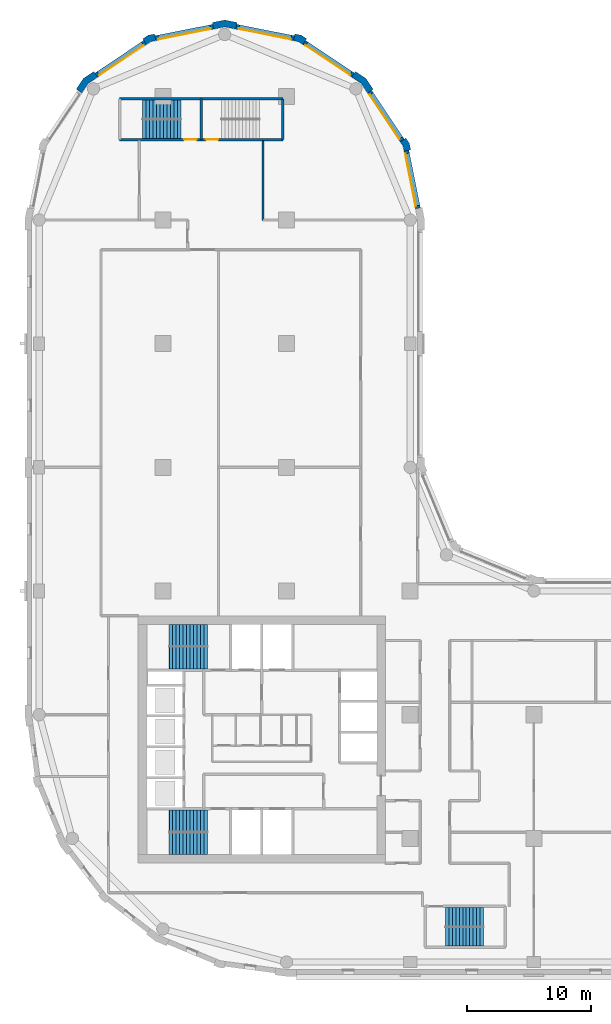
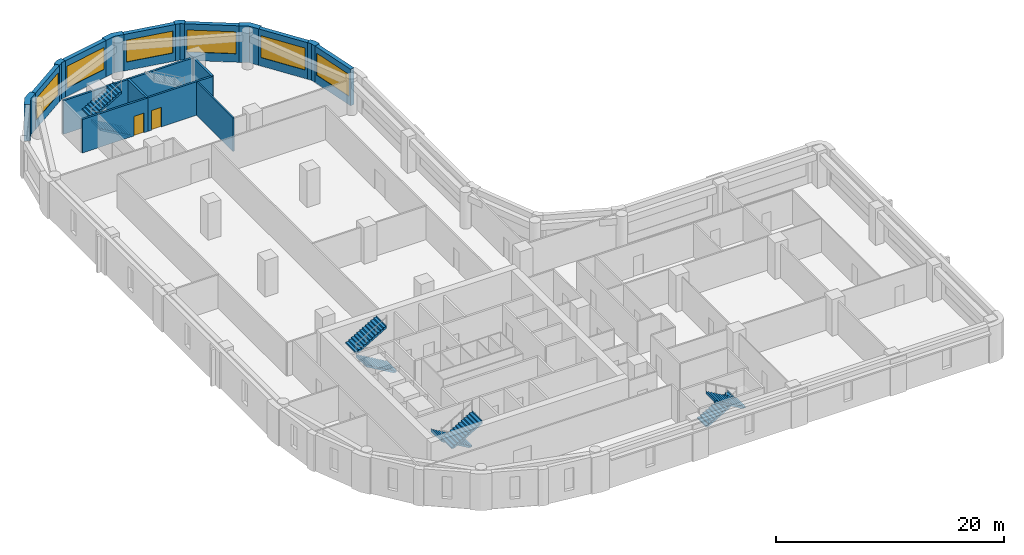
# One storey, part 7 of 10: 19 walls, 8 stair flights, 6 windows, 2 doors, 8 openings, 4 elements without a shape of their own.
"""IFC4 building model written with IfcOpenShell, lengths in metres."""

from ifc_helpers import new_model, si_unit, direction, frame, frame_2d, origin, place, context, subcontext, project, spatial, polyline, rectangle, outline, extrude, material, layer, layer_set, type_object, element, fill, aggregate, save


model = new_model("IFC4")

# Units and contexts
model_context = context("Model", 3, precision=1e-05, world=origin(), true_north=direction((0.0, 1.0)))
body_context = subcontext(model_context, "Body", "Model", "MODEL_VIEW")
ifc_project = project(units=[si_unit("LENGTHUNIT", "METRE"), si_unit("AREAUNIT", "SQUARE_METRE"), si_unit("VOLUMEUNIT", "CUBIC_METRE"), si_unit("PLANEANGLEUNIT", "RADIAN"), si_unit("MASSUNIT", "GRAM", prefix="KILO")], contexts=[model_context])

# Site, building, storey
site_placement = place(None, origin())
site = spatial("IfcSite", under=ifc_project, at=site_placement, CompositionType="ELEMENT")
building_placement = place(site_placement, origin())
building = spatial("IfcBuilding", under=site, at=building_placement, Name="Qaws Garden Tower", CompositionType="ELEMENT")
storey_placement = place(building_placement, frame((0.0, 0.0, 182.39990234375)))
storey = spatial("IfcBuildingStorey", under=building, at=storey_placement, Name="L44", CompositionType="ELEMENT", Elevation=182.39990234375)

# Wall, opening, window
ifc_material_1 = material(Name="Clay facing brick masonry", Category="masonry")
ifc_layer_1 = layer(ifc_material_1, 0.39990234375)
ifc_layer_set_1 = layer_set([ifc_layer_1], Name="Clay facing brick masonry")
wall_type_1 = type_object("IfcWallType", Name="Brick infill wall 400", PredefinedType="SOLIDWALL", material=ifc_layer_set_1)
wall_1_placement = place(storey_placement, frame((30.628662109375, 60.940673828125, 0.0), z_axis=(0.0, 0.0, 1.0), x_axis=(-0.195098533057, 0.98078364709, 0.0)))
wall_1 = element("IfcWall", 1, at=wall_1_placement, inside=storey, type_object=wall_type_1, Name="E-L44-infill-13", PredefinedType="SOLIDWALL", context=body_context, shape_type="SweptSolid", body=[
    extrude(rectangle(XDim=4.752685546875, YDim=0.39990234375, at=frame_2d((2.37646484375, 0.0))), origin(), (0.0, 0.0, 1.0), 3.900146484375),
])
opening_1_placement = place(wall_1_placement, frame((0.226318359375, 0.0, 0.89990234375)))
opening_1 = element("IfcOpeningElement", 2, at=opening_1_placement, cuts=wall_1, Name="Opening W06", PredefinedType="OPENING", context=body_context, shape_type="SweptSolid", body=[
    extrude(rectangle(XDim=4.300048828125, YDim=2.35009765625, at=frame_2d((2.14990234375, 1.175048828125))), frame((0.0, 0.2099609375, 0.0), z_axis=(0.0, -1.0, 0.0), x_axis=(1.0, 0.0, 0.0)), (0.0, 0.0, 1.0), 0.419921875),
])
ifc_material_2 = material(Name="Aluminium framed window, clear glazing", Category="aluminium")
window_type = type_object("IfcWindowType", Name="Ribbon window 4300 x 2350", PartitioningType="DOUBLE_PANEL_VERTICAL", PredefinedType="WINDOW", material=ifc_material_2)
window_1_placement = place(opening_1_placement, origin())
window_1 = element("IfcWindow", 3, at=window_1_placement, inside=storey, type_object=window_type, Name="E-L44-window-13-0", OverallHeight=2.35009765625, OverallWidth=4.300048828125, PartitioningType="SINGLE_PANEL", PredefinedType="WINDOW", context=body_context, shape_type="SweptSolid", body=[
    extrude(rectangle(XDim=4.300048828125, YDim=2.35009765625, at=frame_2d((2.14990234375, 1.175048828125))), frame((0.0, 0.159912109375, 0.0), z_axis=(0.0, -1.0, 0.0), x_axis=(1.0, 0.0, 0.0)), (0.0, 0.0, 1.0), 0.06005859375),
])
fill(opening_1, window_1)

wall_2_placement = place(storey_placement, frame((29.356689453125, 66.43408203125, 0.0), z_axis=(0.0, 0.0, 1.0), x_axis=(-0.555541552266, 0.831488775454, 0.0)))
wall_2 = element("IfcWall", 4, at=wall_2_placement, inside=storey, type_object=wall_type_1, Name="E-L44-infill-14", PredefinedType="SOLIDWALL", context=body_context, shape_type="SweptSolid", body=[
    extrude(rectangle(XDim=4.752685546875, YDim=0.39990234375, at=frame_2d((2.37646484375, 0.0))), origin(), (0.0, 0.0, 1.0), 3.900146484375),
])
opening_2_placement = place(wall_2_placement, frame((0.226318359375, 0.0, 0.89990234375)))
opening_2 = element("IfcOpeningElement", 5, at=opening_2_placement, cuts=wall_2, Name="Opening W06", PredefinedType="OPENING", context=body_context, shape_type="SweptSolid", body=[
    extrude(rectangle(XDim=4.300048828125, YDim=2.35009765625, at=frame_2d((2.14990234375, 1.175048828125))), frame((0.0, 0.2099609375, 0.0), z_axis=(0.0, -1.0, 0.0), x_axis=(1.0, 0.0, 0.0)), (0.0, 0.0, 1.0), 0.419921875),
])
window_2_placement = place(opening_2_placement, origin())
window_2 = element("IfcWindow", 6, at=window_2_placement, inside=storey, type_object=window_type, Name="E-L44-window-14-0", OverallHeight=2.35009765625, OverallWidth=4.300048828125, PartitioningType="SINGLE_PANEL", PredefinedType="WINDOW", context=body_context, shape_type="SweptSolid", body=[
    extrude(rectangle(XDim=4.300048828125, YDim=2.35009765625, at=frame_2d((2.14990234375, 1.175048828125))), frame((0.0, 0.159912109375, 0.0), z_axis=(0.0, -1.0, 0.0), x_axis=(1.0, 0.0, 0.0)), (0.0, 0.0, 1.0), 0.06005859375),
])
fill(opening_2, window_2)

wall_3_placement = place(storey_placement, frame((25.385986328125, 71.71630859375, 0.0), z_axis=(0.0, 0.0, 1.0), x_axis=(-0.831488775454, 0.555541552266, 0.0)))
wall_3 = element("IfcWall", 7, at=wall_3_placement, inside=storey, type_object=wall_type_1, Name="E-L44-infill-15", PredefinedType="SOLIDWALL", context=body_context, shape_type="SweptSolid", body=[
    extrude(rectangle(XDim=4.752685546875, YDim=0.39990234375, at=frame_2d((2.37646484375, 0.0))), origin(), (0.0, 0.0, 1.0), 3.900146484375),
])
opening_3_placement = place(wall_3_placement, frame((0.226318359375, 0.0, 0.89990234375)))
opening_3 = element("IfcOpeningElement", 8, at=opening_3_placement, cuts=wall_3, Name="Opening W06", PredefinedType="OPENING", context=body_context, shape_type="SweptSolid", body=[
    extrude(rectangle(XDim=4.300048828125, YDim=2.35009765625, at=frame_2d((2.14990234375, 1.175048828125))), frame((0.0, 0.2099609375, 0.0), z_axis=(0.0, -1.0, 0.0), x_axis=(1.0, 0.0, 0.0)), (0.0, 0.0, 1.0), 0.419921875),
])
window_3_placement = place(opening_3_placement, origin())
window_3 = element("IfcWindow", 9, at=window_3_placement, inside=storey, type_object=window_type, Name="E-L44-window-15-0", OverallHeight=2.35009765625, OverallWidth=4.300048828125, PartitioningType="SINGLE_PANEL", PredefinedType="WINDOW", context=body_context, shape_type="SweptSolid", body=[
    extrude(rectangle(XDim=4.300048828125, YDim=2.35009765625, at=frame_2d((2.14990234375, 1.175048828125))), frame((0.0, 0.159912109375, 0.0), z_axis=(0.0, -1.0, 0.0), x_axis=(1.0, 0.0, 0.0)), (0.0, 0.0, 1.0), 0.06005859375),
])
fill(opening_3, window_3)

wall_4_placement = place(storey_placement, frame((20.60205078125, 74.701416015625, 0.0), z_axis=(0.0, 0.0, 1.0), x_axis=(-0.98078364709, 0.195098533057, 0.0)))
wall_4 = element("IfcWall", 10, at=wall_4_placement, inside=storey, type_object=wall_type_1, Name="E-L44-infill-16", PredefinedType="SOLIDWALL", context=body_context, shape_type="SweptSolid", body=[
    extrude(rectangle(XDim=4.752685546875, YDim=0.39990234375, at=frame_2d((2.37646484375, 0.0))), origin(), (0.0, 0.0, 1.0), 3.900146484375),
])
opening_4_placement = place(wall_4_placement, frame((0.226318359375, 0.0, 0.89990234375)))
opening_4 = element("IfcOpeningElement", 11, at=opening_4_placement, cuts=wall_4, Name="Opening W06", PredefinedType="OPENING", context=body_context, shape_type="SweptSolid", body=[
    extrude(rectangle(XDim=4.300048828125, YDim=2.35009765625, at=frame_2d((2.14990234375, 1.175048828125))), frame((0.0, 0.2099609375, 0.0), z_axis=(0.0, -1.0, 0.0), x_axis=(1.0, 0.0, 0.0)), (0.0, 0.0, 1.0), 0.419921875),
])
window_4_placement = place(opening_4_placement, origin())
window_4 = element("IfcWindow", 12, at=window_4_placement, inside=storey, type_object=window_type, Name="E-L44-window-16-0", OverallHeight=2.35009765625, OverallWidth=4.300048828125, PartitioningType="SINGLE_PANEL", PredefinedType="WINDOW", context=body_context, shape_type="SweptSolid", body=[
    extrude(rectangle(XDim=4.300048828125, YDim=2.35009765625, at=frame_2d((2.14990234375, 1.175048828125))), frame((0.0, 0.159912109375, 0.0), z_axis=(0.0, -1.0, 0.0), x_axis=(1.0, 0.0, 0.0)), (0.0, 0.0, 1.0), 0.06005859375),
])
fill(opening_4, window_4)

wall_5_placement = place(storey_placement, frame((14.059326171875, 75.628662109375, 0.0), z_axis=(0.0, 0.0, 1.0), x_axis=(-0.98078364709, -0.195098533057, 0.0)))
wall_5 = element("IfcWall", 13, at=wall_5_placement, inside=storey, type_object=wall_type_1, Name="E-L44-infill-17", PredefinedType="SOLIDWALL", context=body_context, shape_type="SweptSolid", body=[
    extrude(rectangle(XDim=4.752685546875, YDim=0.39990234375, at=frame_2d((2.37646484375, 0.0))), origin(), (0.0, 0.0, 1.0), 3.900146484375),
])
opening_5_placement = place(wall_5_placement, frame((0.226318359375, 0.0, 0.89990234375)))
opening_5 = element("IfcOpeningElement", 14, at=opening_5_placement, cuts=wall_5, Name="Opening W06", PredefinedType="OPENING", context=body_context, shape_type="SweptSolid", body=[
    extrude(rectangle(XDim=4.300048828125, YDim=2.35009765625, at=frame_2d((2.14990234375, 1.175048828125))), frame((0.0, 0.2099609375, 0.0), z_axis=(0.0, -1.0, 0.0), x_axis=(1.0, 0.0, 0.0)), (0.0, 0.0, 1.0), 0.419921875),
])
window_5_placement = place(opening_5_placement, origin())
window_5 = element("IfcWindow", 15, at=window_5_placement, inside=storey, type_object=window_type, Name="E-L44-window-17-0", OverallHeight=2.35009765625, OverallWidth=4.300048828125, PartitioningType="SINGLE_PANEL", PredefinedType="WINDOW", context=body_context, shape_type="SweptSolid", body=[
    extrude(rectangle(XDim=4.300048828125, YDim=2.35009765625, at=frame_2d((2.14990234375, 1.175048828125))), frame((0.0, 0.159912109375, 0.0), z_axis=(0.0, -1.0, 0.0), x_axis=(1.0, 0.0, 0.0)), (0.0, 0.0, 1.0), 0.06005859375),
])
fill(opening_5, window_5)

wall_6_placement = place(storey_placement, frame((8.56591796875, 74.356689453125, 0.0), z_axis=(0.0, 0.0, 1.0), x_axis=(-0.831488775454, -0.555541552266, 0.0)))
wall_6 = element("IfcWall", 16, at=wall_6_placement, inside=storey, type_object=wall_type_1, Name="E-L44-infill-18", PredefinedType="SOLIDWALL", context=body_context, shape_type="SweptSolid", body=[
    extrude(rectangle(XDim=4.752685546875, YDim=0.39990234375, at=frame_2d((2.37646484375, 0.0))), origin(), (0.0, 0.0, 1.0), 3.900146484375),
])
opening_6_placement = place(wall_6_placement, frame((0.226318359375, 0.0, 0.89990234375)))
opening_6 = element("IfcOpeningElement", 17, at=opening_6_placement, cuts=wall_6, Name="Opening W06", PredefinedType="OPENING", context=body_context, shape_type="SweptSolid", body=[
    extrude(rectangle(XDim=4.300048828125, YDim=2.35009765625, at=frame_2d((2.14990234375, 1.175048828125))), frame((0.0, 0.2099609375, 0.0), z_axis=(0.0, -1.0, 0.0), x_axis=(1.0, 0.0, 0.0)), (0.0, 0.0, 1.0), 0.419921875),
])
window_6_placement = place(opening_6_placement, origin())
window_6 = element("IfcWindow", 18, at=window_6_placement, inside=storey, type_object=window_type, Name="E-L44-window-18-0", OverallHeight=2.35009765625, OverallWidth=4.300048828125, PartitioningType="SINGLE_PANEL", PredefinedType="WINDOW", context=body_context, shape_type="SweptSolid", body=[
    extrude(rectangle(XDim=4.300048828125, YDim=2.35009765625, at=frame_2d((2.14990234375, 1.175048828125))), frame((0.0, 0.159912109375, 0.0), z_axis=(0.0, -1.0, 0.0), x_axis=(1.0, 0.0, 0.0)), (0.0, 0.0, 1.0), 0.06005859375),
])
fill(opening_6, window_6)

# Walls
ifc_material_3 = material(Name="Clay facing brick masonry", Category="masonry")
ifc_layer_2 = layer(ifc_material_3, 0.550048828125)
ifc_layer_set_2 = layer_set([ifc_layer_2], Name="Clay facing brick masonry")
wall_type_2 = type_object("IfcWallType", Name="Brick kink pier 550 x 600", PredefinedType="SOLIDWALL", material=ifc_layer_set_2)
placement = place(storey_placement, origin())
element("IfcWall", 19, at=placement, inside=storey, type_object=wall_type_2, Name="E-L44-pier-14", PredefinedType="SOLIDWALL", context=body_context, shape_type="SweptSolid", body=[
    extrude(outline(polyline([(29.8974609375, 65.64111328125), (30.044677734375, 65.67041015625), (29.94140625, 66.18896484375), (29.647705078125, 66.628662109375), (29.52294921875, 66.545166015625), (29.1904296875, 66.322998046875), (29.42333984375, 65.974365234375), (29.505126953125, 65.56298828125), (29.8974609375, 65.64111328125)])), origin(), (0.0, 0.0, 1.0), 3.900146484375),
])
element("IfcWall", 20, at=placement, inside=storey, type_object=wall_type_2, Name="E-L44-pier-16", PredefinedType="SOLIDWALL", context=body_context, shape_type="SweptSolid", body=[
    extrude(outline(polyline([(21.545166015625, 74.52294921875), (21.628662109375, 74.647705078125), (21.18896484375, 74.94140625), (20.67041015625, 75.044677734375), (20.64111328125, 74.8974609375), (20.56298828125, 74.505126953125), (20.974365234375, 74.42333984375), (21.322998046875, 74.1904296875), (21.545166015625, 74.52294921875)])), origin(), (0.0, 0.0, 1.0), 3.900146484375),
])
element("IfcWall", 21, at=placement, inside=storey, type_object=wall_type_2, Name="E-L44-pier-18", PredefinedType="SOLIDWALL", context=body_context, shape_type="SweptSolid", body=[
    extrude(outline(polyline([(9.35888671875, 74.8974609375), (9.32958984375, 75.044677734375), (8.81103515625, 74.94140625), (8.371337890625, 74.647705078125), (8.454833984375, 74.52294921875), (8.677001953125, 74.1904296875), (9.025634765625, 74.42333984375), (9.43701171875, 74.505126953125), (9.35888671875, 74.8974609375)])), origin(), (0.0, 0.0, 1.0), 3.900146484375),
])
ifc_material_4 = material(Name="Clay facing brick masonry", Category="masonry")
ifc_layer_3 = layer(ifc_material_4, 0.550048828125)
ifc_layer_set_3 = layer_set([ifc_layer_3], Name="Clay facing brick masonry")
wall_type_3 = type_object("IfcWallType", Name="Brick pier 550 x 1600", PredefinedType="SOLIDWALL", material=ifc_layer_set_3)
element("IfcWall", 22, at=placement, inside=storey, type_object=wall_type_3, Name="E-L44-pier-15", PredefinedType="SOLIDWALL", context=body_context, shape_type="SweptSolid", body=[
    extrude(outline(polyline([(26.882568359375, 70.4970703125), (27.00732421875, 70.580322265625), (26.435791015625, 71.435791015625), (25.580322265625, 72.00732421875), (25.4970703125, 71.882568359375), (25.274658203125, 71.550048828125), (26.0390625, 71.0390625), (26.550048828125, 70.274658203125), (26.882568359375, 70.4970703125)])), origin(), (0.0, 0.0, 1.0), 3.900146484375),
])
element("IfcWall", 23, at=placement, inside=storey, type_object=wall_type_3, Name="E-L44-pier-17", PredefinedType="SOLIDWALL", context=body_context, shape_type="SweptSolid", body=[
    extrude(outline(polyline([(15.979736328125, 75.82470703125), (16.009033203125, 75.971923828125), (15.0, 76.172607421875), (13.990966796875, 75.971923828125), (14.020263671875, 75.82470703125), (14.098388671875, 75.432373046875), (15.0, 75.61181640625), (15.901611328125, 75.432373046875), (15.979736328125, 75.82470703125)])), origin(), (0.0, 0.0, 1.0), 3.900146484375),
])
element("IfcWall", 24, at=placement, inside=storey, type_object=wall_type_3, Name="E-L44-pier-19", PredefinedType="SOLIDWALL", context=body_context, shape_type="SweptSolid", body=[
    extrude(outline(polyline([(4.5029296875, 71.882568359375), (4.419677734375, 72.00732421875), (3.564208984375, 71.435791015625), (2.99267578125, 70.580322265625), (3.117431640625, 70.4970703125), (3.449951171875, 70.274658203125), (3.9609375, 71.0390625), (4.725341796875, 71.550048828125), (4.5029296875, 71.882568359375)])), origin(), (0.0, 0.0, 1.0), 3.900146484375),
])

# Wall, opening, door
ifc_material_5 = material(Name="Concrete C70", Category="concrete")
ifc_layer_4 = layer(ifc_material_5, 0.199951171875)
ifc_layer_set_4 = layer_set([ifc_layer_4], Name="Concrete C70")
wall_type_4 = type_object("IfcWallType", Name="Core shaft wall 200 C70", PredefinedType="SHEAR", material=ifc_layer_set_4)
wall_13_placement = place(storey_placement, frame((6.5, 66.5, 0.0), z_axis=(0.0, 0.0, 1.0), x_axis=(1.0, 0.0, 0.0)))
wall_13 = element("IfcWall", 25, at=wall_13_placement, inside=storey, type_object=wall_type_4, Name="Shaft wall", PredefinedType="SHEAR", context=body_context, shape_type="SweptSolid", body=[
    extrude(rectangle(XDim=6.60009765625, YDim=0.199951171875, at=frame_2d((3.300048828125, 0.0))), origin(), (0.0, 0.0, 1.0), 3.580078125),
])
opening_7_placement = place(wall_13_placement, frame((5.22509765625, 0.0, 0.0)))
opening_7 = element("IfcOpeningElement", 26, at=opening_7_placement, cuts=wall_13, Name="Opening SD13", PredefinedType="OPENING", context=body_context, shape_type="SweptSolid", body=[
    extrude(rectangle(XDim=1.0, YDim=2.10009765625, at=frame_2d((0.5, 1.050048828125))), frame((0.0, 0.10986328125, 0.0), z_axis=(0.0, -1.0, 0.0), x_axis=(1.0, 0.0, 0.0)), (0.0, 0.0, 1.0), 0.219970703125),
])
ifc_material_6 = material(Name="Steel S235", Category="steel")
door_type = type_object("IfcDoorType", Name="Stair door 1000x2100", OperationType="SINGLE_SWING_RIGHT", PredefinedType="DOOR", material=ifc_material_6)
door_1_placement = place(opening_7_placement, origin())
door_1 = element("IfcDoor", 27, at=door_1_placement, inside=storey, type_object=door_type, Name="Stair 6 door", OperationType="SINGLE_SWING_RIGHT", OverallHeight=2.10009765625, OverallWidth=1.0, PredefinedType="DOOR", context=body_context, shape_type="SweptSolid", body=[
    extrude(rectangle(XDim=1.0, YDim=2.10009765625, at=frame_2d((0.5, 1.050048828125))), frame((0.0, 0.02490234375, 0.0), z_axis=(0.0, -1.0, 0.0), x_axis=(1.0, 0.0, 0.0)), (0.0, 0.0, 1.0), 0.050048828125),
])
fill(opening_7, door_1)

wall_14_placement = place(storey_placement, frame((13.10009765625, 66.5, 0.0), z_axis=(0.0, 0.0, 1.0), x_axis=(1.0, 0.0, 0.0)))
wall_14 = element("IfcWall", 28, at=wall_14_placement, inside=storey, type_object=wall_type_4, Name="Shaft wall", PredefinedType="SHEAR", context=body_context, shape_type="SweptSolid", body=[
    extrude(rectangle(XDim=6.599853515625, YDim=0.199951171875, at=frame_2d((3.2998046875, 0.0))), origin(), (0.0, 0.0, 1.0), 3.580078125),
])
opening_8_placement = place(wall_14_placement, frame((0.375, 0.0, 0.0)))
opening_8 = element("IfcOpeningElement", 29, at=opening_8_placement, cuts=wall_14, Name="Opening SD14", PredefinedType="OPENING", context=body_context, shape_type="SweptSolid", body=[
    extrude(rectangle(XDim=1.0, YDim=2.10009765625, at=frame_2d((0.5, 1.050048828125))), frame((0.0, 0.10986328125, 0.0), z_axis=(0.0, -1.0, 0.0), x_axis=(1.0, 0.0, 0.0)), (0.0, 0.0, 1.0), 0.219970703125),
])
door_2_placement = place(opening_8_placement, origin())
door_2 = element("IfcDoor", 30, at=door_2_placement, inside=storey, type_object=door_type, Name="Stair 7 door", OperationType="SINGLE_SWING_LEFT", OverallHeight=2.10009765625, OverallWidth=1.0, PredefinedType="DOOR", context=body_context, shape_type="SweptSolid", body=[
    extrude(rectangle(XDim=1.0, YDim=2.10009765625, at=frame_2d((0.5, 1.050048828125))), frame((0.0, 0.02490234375, 0.0), z_axis=(0.0, -1.0, 0.0), x_axis=(1.0, 0.0, 0.0)), (0.0, 0.0, 1.0), 0.050048828125),
])
fill(opening_8, door_2)

# Walls
wall_15_placement = place(storey_placement, frame((6.5, 69.800048828125, 0.0), z_axis=(0.0, 0.0, 1.0), x_axis=(1.0, 0.0, 0.0)))
element("IfcWall", 31, at=wall_15_placement, inside=storey, type_object=wall_type_4, Name="Shaft wall", PredefinedType="SHEAR", context=body_context, shape_type="SweptSolid", body=[
    extrude(rectangle(XDim=6.60009765625, YDim=0.199951171875, at=frame_2d((3.300048828125, 0.0))), origin(), (0.0, 0.0, 1.0), 3.580078125),
])
wall_16_placement = place(storey_placement, frame((13.10009765625, 69.800048828125, 0.0), z_axis=(0.0, 0.0, 1.0), x_axis=(1.0, 0.0, 0.0)))
element("IfcWall", 32, at=wall_16_placement, inside=storey, type_object=wall_type_4, Name="Shaft wall", PredefinedType="SHEAR", context=body_context, shape_type="SweptSolid", body=[
    extrude(rectangle(XDim=6.599853515625, YDim=0.199951171875, at=frame_2d((3.2998046875, 0.0))), origin(), (0.0, 0.0, 1.0), 3.580078125),
])
for number, where, z_axis, x_axis, name in (
    (33, (13.10009765625, 66.5, 0.0), (0.0, 0.0, 1.0), (0.0, 1.0, 0.0), "Shaft wall"),
    (34, (19.699951171875, 66.5, 0.0), (0.0, 0.0, 1.0), (0.0, 1.0, 0.0), "Shaft wall"),
):
    element("IfcWall", number, at=place(storey_placement, frame(where, z_axis=z_axis, x_axis=x_axis)), inside=storey, type_object=wall_type_4, Name=name, PredefinedType="SHEAR", context=body_context, shape_type="SweptSolid", body=[
        extrude(rectangle(XDim=3.300048828125, YDim=0.199951171875, at=frame_2d((1.64990234375, 0.0))), origin(), (0.0, 0.0, 1.0), 3.580078125),
    ])
ifc_material_7 = material(Name="Gypsum board partition")
ifc_layer_5 = layer(ifc_material_7, 0.14990234375)
ifc_layer_set_5 = layer_set([ifc_layer_5], Name="Gypsum board partition")
wall_type_5 = type_object("IfcWallType", Name="PARTITION 150 EI 60", PredefinedType="PARTITIONING", material=ifc_layer_set_5)
wall_17_placement = place(storey_placement, frame((18.10009765625, 60.0, 0.0), z_axis=(0.0, 0.0, 1.0), x_axis=(0.0, 1.0, 0.0)))
element("IfcWall", 35, at=wall_17_placement, inside=storey, type_object=wall_type_5, Name="O-L44-wall-013", PredefinedType="PARTITIONING", context=body_context, shape_type="SweptSolid", body=[
    extrude(rectangle(XDim=6.39990234375, YDim=0.14990234375, at=frame_2d((3.199951171875, 0.0))), origin(), (0.0, 0.0, 1.0), 3.580078125),
])

# Stair, stair flights
ifc_material_8 = material(Name="Concrete C40", Category="concrete")
stair_type_1 = type_object("IfcStairType", Name="Exit stair 1350", PredefinedType="HALF_TURN_STAIR", material=ifc_material_8)
stair_1 = element("IfcStair", 36, at=placement, inside=storey, type_object=stair_type_1, Name="Stair 5", PredefinedType="HALF_TURN_STAIR")
ifc_material_9 = material(Name="Concrete C40", Category="concrete")
stair_flight_type_1 = type_object("IfcStairFlightType", Name="Stair flight 1350", PredefinedType="STRAIGHT", material=ifc_material_9)
stair_flight_1_placement = place(storey_placement, frame((32.85009765625, 3.625, 0.0), z_axis=(0.0, 0.0, 1.0), x_axis=(1.0, 0.0, 0.0)))
stair_flight_1 = element("IfcStairFlight", 37, at=stair_flight_1_placement, type_object=stair_flight_type_1, Name="ST5 flight 1", NumberOfRisers=12, NumberOfTreads=11, PredefinedType="STRAIGHT", RiserHeight=0.1625, TreadLength=0.28, context=body_context, shape_type="SweptSolid", body=[
    extrude(outline(polyline([(-0.0029296875, 0.0), (-0.0029296875, 0.16259765625), (0.0, 0.16259765625), (0.280029296875, 0.16259765625), (0.280029296875, 0.324951171875), (0.56005859375, 0.324951171875), (0.56005859375, 0.487548828125), (0.840087890625, 0.487548828125), (0.840087890625, 0.64990234375), (1.1201171875, 0.64990234375), (1.1201171875, 0.8125), (1.39990234375, 0.8125), (1.39990234375, 0.97509765625), (1.679931640625, 0.97509765625), (1.679931640625, 1.137451171875), (1.9599609375, 1.137451171875), (1.9599609375, 1.300048828125), (2.239990234375, 1.300048828125), (2.239990234375, 1.46240234375), (2.52001953125, 1.46240234375), (2.52001953125, 1.625), (2.800048828125, 1.625), (2.800048828125, 1.78759765625), (3.080078125, 1.78759765625), (3.080078125, 1.949951171875), (3.0830078125, 1.949951171875), (3.0830078125, 1.6142578125), (3.080078125, 1.6142578125), (0.298583984375, 0.0), (-0.0029296875, 0.0)])), frame((0.0, 0.77490234375, 0.0), z_axis=(0.0, -1.0, 0.0), x_axis=(1.0, 0.0, 0.0)), (0.0, 0.0, 1.0), 1.550048828125),
])
stair_flight_2_placement = place(storey_placement, frame((35.929931640625, 2.074951171875, 1.9501953125), z_axis=(0.0, 0.0, 1.0), x_axis=(-1.0, 0.0, 0.0)))
stair_flight_2 = element("IfcStairFlight", 38, at=stair_flight_2_placement, type_object=stair_flight_type_1, Name="ST5 flight 2", NumberOfRisers=12, NumberOfTreads=11, PredefinedType="STRAIGHT", RiserHeight=0.1625, TreadLength=0.28, context=body_context, shape_type="SweptSolid", body=[
    extrude(outline(polyline([(-0.0029296875, 0.0), (-0.0029296875, 0.16259765625), (0.0, 0.16259765625), (0.280029296875, 0.16259765625), (0.280029296875, 0.324951171875), (0.56005859375, 0.324951171875), (0.56005859375, 0.487548828125), (0.840087890625, 0.487548828125), (0.840087890625, 0.64990234375), (1.1201171875, 0.64990234375), (1.1201171875, 0.8125), (1.39990234375, 0.8125), (1.39990234375, 0.97509765625), (1.679931640625, 0.97509765625), (1.679931640625, 1.137451171875), (1.9599609375, 1.137451171875), (1.9599609375, 1.300048828125), (2.239990234375, 1.300048828125), (2.239990234375, 1.46240234375), (2.52001953125, 1.46240234375), (2.52001953125, 1.625), (2.800048828125, 1.625), (2.800048828125, 1.78759765625), (3.080078125, 1.78759765625), (3.080078125, 1.949951171875), (3.0830078125, 1.949951171875), (3.0830078125, 1.6142578125), (3.080078125, 1.6142578125), (0.298583984375, 0.0), (-0.0029296875, 0.0)])), frame((0.0, 0.77490234375, 0.0), z_axis=(0.0, -1.0, 0.0), x_axis=(1.0, 0.0, 0.0)), (0.0, 0.0, 1.0), 1.550048828125),
])
aggregate(stair_1, [stair_flight_1, stair_flight_2])

stair_2 = element("IfcStair", 39, at=placement, inside=storey, type_object=stair_type_1, Name="Stair 6", PredefinedType="HALF_TURN_STAIR")
stair_flight_3_placement = place(storey_placement, frame((11.449951171875, 67.375, 0.0), z_axis=(0.0, 0.0, 1.0), x_axis=(-1.0, 0.0, 0.0)))
stair_flight_3 = element("IfcStairFlight", 40, at=stair_flight_3_placement, type_object=stair_flight_type_1, Name="ST6 flight 1", NumberOfRisers=12, NumberOfTreads=11, PredefinedType="STRAIGHT", RiserHeight=0.1625, TreadLength=0.28, context=body_context, shape_type="SweptSolid", body=[
    extrude(outline(polyline([(-0.0029296875, 0.0), (-0.0029296875, 0.16259765625), (0.0, 0.16259765625), (0.280029296875, 0.16259765625), (0.280029296875, 0.324951171875), (0.56005859375, 0.324951171875), (0.56005859375, 0.487548828125), (0.840087890625, 0.487548828125), (0.840087890625, 0.64990234375), (1.1201171875, 0.64990234375), (1.1201171875, 0.8125), (1.39990234375, 0.8125), (1.39990234375, 0.97509765625), (1.679931640625, 0.97509765625), (1.679931640625, 1.137451171875), (1.9599609375, 1.137451171875), (1.9599609375, 1.300048828125), (2.239990234375, 1.300048828125), (2.239990234375, 1.46240234375), (2.52001953125, 1.46240234375), (2.52001953125, 1.625), (2.800048828125, 1.625), (2.800048828125, 1.78759765625), (3.080078125, 1.78759765625), (3.080078125, 1.949951171875), (3.0830078125, 1.949951171875), (3.0830078125, 1.6142578125), (3.080078125, 1.6142578125), (0.298583984375, 0.0), (-0.0029296875, 0.0)])), frame((0.0, 0.77490234375, 0.0), z_axis=(0.0, -1.0, 0.0), x_axis=(1.0, 0.0, 0.0)), (0.0, 0.0, 1.0), 1.550048828125),
])
stair_flight_4_placement = place(storey_placement, frame((8.3701171875, 68.925048828125, 1.9501953125), z_axis=(0.0, 0.0, 1.0), x_axis=(1.0, 0.0, 0.0)))
stair_flight_4 = element("IfcStairFlight", 41, at=stair_flight_4_placement, type_object=stair_flight_type_1, Name="ST6 flight 2", NumberOfRisers=12, NumberOfTreads=11, PredefinedType="STRAIGHT", RiserHeight=0.1625, TreadLength=0.28, context=body_context, shape_type="SweptSolid", body=[
    extrude(outline(polyline([(-0.0029296875, 0.0), (-0.0029296875, 0.16259765625), (0.0, 0.16259765625), (0.280029296875, 0.16259765625), (0.280029296875, 0.324951171875), (0.56005859375, 0.324951171875), (0.56005859375, 0.487548828125), (0.840087890625, 0.487548828125), (0.840087890625, 0.64990234375), (1.1201171875, 0.64990234375), (1.1201171875, 0.8125), (1.39990234375, 0.8125), (1.39990234375, 0.97509765625), (1.679931640625, 0.97509765625), (1.679931640625, 1.137451171875), (1.9599609375, 1.137451171875), (1.9599609375, 1.300048828125), (2.239990234375, 1.300048828125), (2.239990234375, 1.46240234375), (2.52001953125, 1.46240234375), (2.52001953125, 1.625), (2.800048828125, 1.625), (2.800048828125, 1.78759765625), (3.080078125, 1.78759765625), (3.080078125, 1.949951171875), (3.0830078125, 1.949951171875), (3.0830078125, 1.6142578125), (3.080078125, 1.6142578125), (0.298583984375, 0.0), (-0.0029296875, 0.0)])), frame((0.0, 0.77490234375, 0.0), z_axis=(0.0, -1.0, 0.0), x_axis=(1.0, 0.0, 0.0)), (0.0, 0.0, 1.0), 1.550048828125),
])
aggregate(stair_2, [stair_flight_3, stair_flight_4])

ifc_material_10 = material(Name="Concrete C40", Category="concrete")
stair_type_2 = type_object("IfcStairType", Name="Exit stair 1500", PredefinedType="HALF_TURN_STAIR", material=ifc_material_10)
stair_3 = element("IfcStair", 42, at=placement, inside=storey, type_object=stair_type_2, Name="Stair 1", PredefinedType="HALF_TURN_STAIR")
ifc_material_11 = material(Name="Concrete C40", Category="concrete")
stair_flight_type_2 = type_object("IfcStairFlightType", Name="Stair flight 1500", PredefinedType="STRAIGHT", material=ifc_material_11)
stair_flight_5_placement = place(storey_placement, frame((13.60009765625, 11.39990234375, 0.0), z_axis=(0.0, 0.0, 1.0), x_axis=(-1.0, 0.0, 0.0)))
stair_flight_5 = element("IfcStairFlight", 43, at=stair_flight_5_placement, type_object=stair_flight_type_2, Name="ST1 flight 1", NumberOfRisers=12, NumberOfTreads=11, PredefinedType="STRAIGHT", RiserHeight=0.1625, TreadLength=0.28, context=body_context, shape_type="SweptSolid", body=[
    extrude(outline(polyline([(-0.0029296875, 0.0), (-0.0029296875, 0.16259765625), (0.0, 0.16259765625), (0.280029296875, 0.16259765625), (0.280029296875, 0.324951171875), (0.56005859375, 0.324951171875), (0.56005859375, 0.487548828125), (0.840087890625, 0.487548828125), (0.840087890625, 0.64990234375), (1.1201171875, 0.64990234375), (1.1201171875, 0.8125), (1.39990234375, 0.8125), (1.39990234375, 0.97509765625), (1.679931640625, 0.97509765625), (1.679931640625, 1.137451171875), (1.9599609375, 1.137451171875), (1.9599609375, 1.300048828125), (2.239990234375, 1.300048828125), (2.239990234375, 1.46240234375), (2.52001953125, 1.46240234375), (2.52001953125, 1.625), (2.800048828125, 1.625), (2.800048828125, 1.78759765625), (3.080078125, 1.78759765625), (3.080078125, 1.949951171875), (3.0830078125, 1.949951171875), (3.0830078125, 1.6142578125), (3.080078125, 1.6142578125), (0.298583984375, 0.0), (-0.0029296875, 0.0)])), frame((0.0, 0.89990234375, 0.0), z_axis=(0.0, -1.0, 0.0), x_axis=(1.0, 0.0, 0.0)), (0.0, 0.0, 1.0), 1.800048828125),
])
stair_flight_6_placement = place(storey_placement, frame((10.52001953125, 9.60009765625, 1.9501953125), z_axis=(0.0, 0.0, 1.0), x_axis=(1.0, 0.0, 0.0)))
stair_flight_6 = element("IfcStairFlight", 44, at=stair_flight_6_placement, type_object=stair_flight_type_2, Name="ST1 flight 2", NumberOfRisers=12, NumberOfTreads=11, PredefinedType="STRAIGHT", RiserHeight=0.1625, TreadLength=0.28, context=body_context, shape_type="SweptSolid", body=[
    extrude(outline(polyline([(-0.0029296875, 0.0), (-0.0029296875, 0.16259765625), (0.0, 0.16259765625), (0.280029296875, 0.16259765625), (0.280029296875, 0.324951171875), (0.56005859375, 0.324951171875), (0.56005859375, 0.487548828125), (0.840087890625, 0.487548828125), (0.840087890625, 0.64990234375), (1.1201171875, 0.64990234375), (1.1201171875, 0.8125), (1.39990234375, 0.8125), (1.39990234375, 0.97509765625), (1.679931640625, 0.97509765625), (1.679931640625, 1.137451171875), (1.9599609375, 1.137451171875), (1.9599609375, 1.300048828125), (2.239990234375, 1.300048828125), (2.239990234375, 1.46240234375), (2.52001953125, 1.46240234375), (2.52001953125, 1.625), (2.800048828125, 1.625), (2.800048828125, 1.78759765625), (3.080078125, 1.78759765625), (3.080078125, 1.949951171875), (3.0830078125, 1.949951171875), (3.0830078125, 1.6142578125), (3.080078125, 1.6142578125), (0.298583984375, 0.0), (-0.0029296875, 0.0)])), frame((0.0, 0.89990234375, 0.0), z_axis=(0.0, -1.0, 0.0), x_axis=(1.0, 0.0, 0.0)), (0.0, 0.0, 1.0), 1.800048828125),
])
aggregate(stair_3, [stair_flight_5, stair_flight_6])

stair_4 = element("IfcStair", 45, at=placement, inside=storey, type_object=stair_type_2, Name="Stair 4", PredefinedType="HALF_TURN_STAIR")
stair_flight_7_placement = place(storey_placement, frame((13.60009765625, 24.60009765625, 0.0), z_axis=(0.0, 0.0, 1.0), x_axis=(-1.0, 0.0, 0.0)))
stair_flight_7 = element("IfcStairFlight", 46, at=stair_flight_7_placement, type_object=stair_flight_type_2, Name="ST4 flight 1", NumberOfRisers=12, NumberOfTreads=11, PredefinedType="STRAIGHT", RiserHeight=0.1625, TreadLength=0.28, context=body_context, shape_type="SweptSolid", body=[
    extrude(outline(polyline([(-0.0029296875, 0.0), (-0.0029296875, 0.16259765625), (0.0, 0.16259765625), (0.280029296875, 0.16259765625), (0.280029296875, 0.324951171875), (0.56005859375, 0.324951171875), (0.56005859375, 0.487548828125), (0.840087890625, 0.487548828125), (0.840087890625, 0.64990234375), (1.1201171875, 0.64990234375), (1.1201171875, 0.8125), (1.39990234375, 0.8125), (1.39990234375, 0.97509765625), (1.679931640625, 0.97509765625), (1.679931640625, 1.137451171875), (1.9599609375, 1.137451171875), (1.9599609375, 1.300048828125), (2.239990234375, 1.300048828125), (2.239990234375, 1.46240234375), (2.52001953125, 1.46240234375), (2.52001953125, 1.625), (2.800048828125, 1.625), (2.800048828125, 1.78759765625), (3.080078125, 1.78759765625), (3.080078125, 1.949951171875), (3.0830078125, 1.949951171875), (3.0830078125, 1.6142578125), (3.080078125, 1.6142578125), (0.298583984375, 0.0), (-0.0029296875, 0.0)])), frame((0.0, 0.89501953125, 0.0), z_axis=(0.0, -1.0, 0.0), x_axis=(1.0, 0.0, 0.0)), (0.0, 0.0, 1.0), 1.7900390625),
])
stair_flight_8_placement = place(storey_placement, frame((10.52001953125, 26.39990234375, 1.9501953125), z_axis=(0.0, 0.0, 1.0), x_axis=(1.0, 0.0, 0.0)))
stair_flight_8 = element("IfcStairFlight", 47, at=stair_flight_8_placement, type_object=stair_flight_type_2, Name="ST4 flight 2", NumberOfRisers=12, NumberOfTreads=11, PredefinedType="STRAIGHT", RiserHeight=0.1625, TreadLength=0.28, context=body_context, shape_type="SweptSolid", body=[
    extrude(outline(polyline([(-0.0029296875, 0.0), (-0.0029296875, 0.16259765625), (0.0, 0.16259765625), (0.280029296875, 0.16259765625), (0.280029296875, 0.324951171875), (0.56005859375, 0.324951171875), (0.56005859375, 0.487548828125), (0.840087890625, 0.487548828125), (0.840087890625, 0.64990234375), (1.1201171875, 0.64990234375), (1.1201171875, 0.8125), (1.39990234375, 0.8125), (1.39990234375, 0.97509765625), (1.679931640625, 0.97509765625), (1.679931640625, 1.137451171875), (1.9599609375, 1.137451171875), (1.9599609375, 1.300048828125), (2.239990234375, 1.300048828125), (2.239990234375, 1.46240234375), (2.52001953125, 1.46240234375), (2.52001953125, 1.625), (2.800048828125, 1.625), (2.800048828125, 1.78759765625), (3.080078125, 1.78759765625), (3.080078125, 1.949951171875), (3.0830078125, 1.949951171875), (3.0830078125, 1.6142578125), (3.080078125, 1.6142578125), (0.298583984375, 0.0), (-0.0029296875, 0.0)])), frame((0.0, 0.89501953125, 0.0), z_axis=(0.0, -1.0, 0.0), x_axis=(1.0, 0.0, 0.0)), (0.0, 0.0, 1.0), 1.7900390625),
])
aggregate(stair_4, [stair_flight_7, stair_flight_8])

save(model, "model.ifc")
